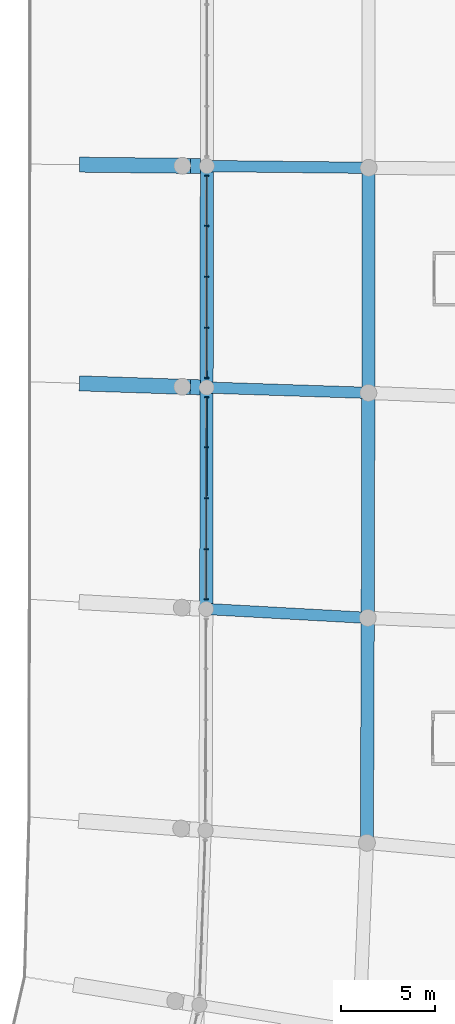
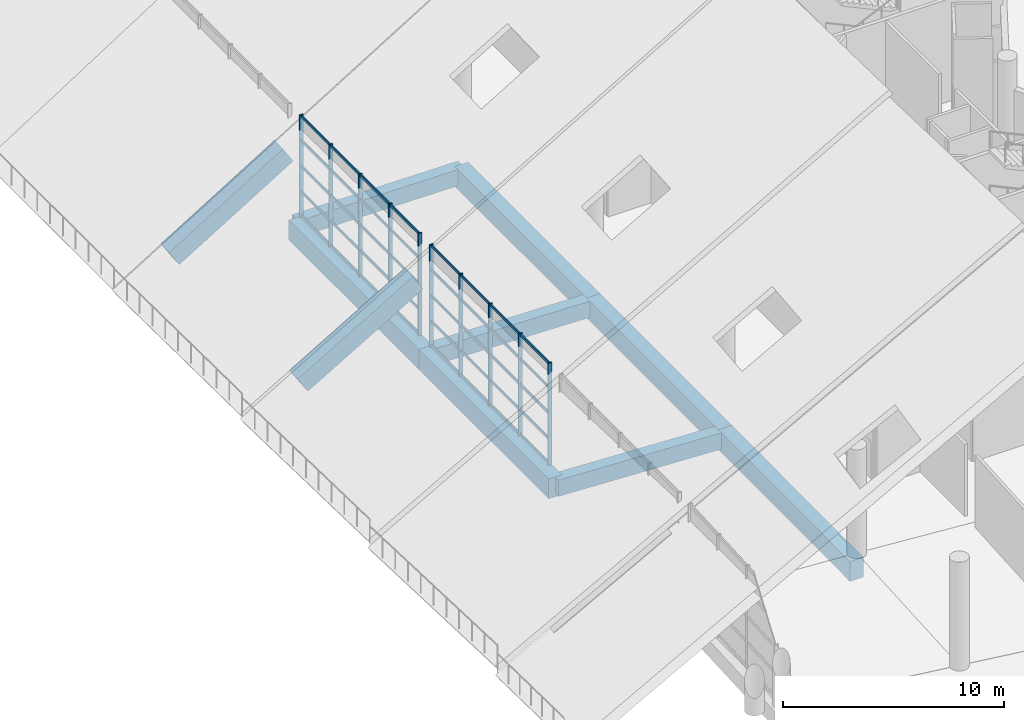
# One storey, part 42 of 249: 50 members, 10 beams, 2 elements without a shape of their own.
"""IFC4 building model written with IfcOpenShell, lengths in metres."""

from ifc_helpers import new_model, si_unit, direction, frame, origin, origin_2d, place, context, subcontext, project, spatial, rectangle, extrude, material, layer, layer_set, material_profile, profile_set, type_object, element, aggregate, save


model = new_model("IFC4")

# Units and contexts
model_context = context("Model", 3, precision=1e-05, world=origin(), true_north=direction((0.0, 1.0)))
body_context = subcontext(model_context, "Body", "Model", "MODEL_VIEW")
ifc_project = project(units=[si_unit("LENGTHUNIT", "METRE"), si_unit("AREAUNIT", "SQUARE_METRE"), si_unit("VOLUMEUNIT", "CUBIC_METRE"), si_unit("PLANEANGLEUNIT", "RADIAN"), si_unit("MASSUNIT", "GRAM", prefix="KILO")], contexts=[model_context])

# Site, building, storey
site_placement = place(None, origin())
site = spatial("IfcSite", under=ifc_project, at=site_placement, CompositionType="ELEMENT")
building_placement = place(site_placement, origin())
building = spatial("IfcBuilding", under=site, at=building_placement, Name="Meseta Stadium", CompositionType="ELEMENT")
storey_placement = place(building_placement, frame((0.0, 0.0, 12.0)))
storey = spatial("IfcBuildingStorey", under=building, at=storey_placement, Name="L02", CompositionType="ELEMENT", Elevation=12.0)

# Curtain wall, members
ifc_material_1 = material(Name="Aluminium", Category="aluminium")
ifc_layer = layer(ifc_material_1, 0.199951171875)
ifc_layer_set = layer_set([ifc_layer], Name="Suite glazing curtain wall")
curtain_wall_type = type_object("IfcCurtainWallType", Name="Suite glazing curtain wall", PredefinedType="NOTDEFINED", material=ifc_layer_set)
curtain_wall_1_placement = place(storey_placement, origin())
curtain_wall_1 = element("IfcCurtainWall", 1, at=curtain_wall_1_placement, inside=storey, type_object=curtain_wall_type, Name="Suite glazing bay 02", PredefinedType="NOTDEFINED")
ifc_material_2 = material(Name="Aluminium", Category="aluminium")
ifc_material_profile_1 = material_profile(ifc_material_2, rectangle(XDim=0.199951171875, YDim=0.06005859375, at=origin_2d()), Name="CW 200x60")
ifc_profile_set_1 = profile_set([ifc_material_profile_1], Name="Aluminium")
member_type_1 = type_object("IfcMemberType", Name="CW mullion 60x200", PredefinedType="MULLION", material=ifc_profile_set_1)
member_1_placement = place(storey_placement, frame((64.865234375, -28.923828125, 0.0), z_axis=(0.0, 0.0, 1.0), x_axis=(-0.999998105206, 0.001946685349, 0.0)))
member_1 = element("IfcMember", 2, at=member_1_placement, type_object=member_type_1, Name="CWS mullion 1", PredefinedType="MULLION", context=body_context, shape_type="SweptSolid", body=[
    extrude(rectangle(XDim=0.199951171875, YDim=0.06005859375, at=origin_2d()), origin(), (0.0, 0.0, 1.0), 5.64990234375),
])
member_2_placement = place(storey_placement, frame((64.870361328125, -26.250244140625, 0.0), z_axis=(0.0, 0.0, 1.0), x_axis=(-0.999998105206, 0.001946685349, 0.0)))
member_2 = element("IfcMember", 3, at=member_2_placement, type_object=member_type_1, Name="CWS mullion 2", PredefinedType="MULLION", context=body_context, shape_type="SweptSolid", body=[
    extrude(rectangle(XDim=0.199951171875, YDim=0.06005859375, at=origin_2d()), origin(), (0.0, 0.0, 1.0), 5.64990234375),
])
member_3_placement = place(storey_placement, frame((64.875732421875, -23.546875, 0.0), z_axis=(0.0, 0.0, 1.0), x_axis=(-0.999998105206, 0.001946685349, 0.0)))
member_3 = element("IfcMember", 4, at=member_3_placement, type_object=member_type_1, Name="CWS mullion 3", PredefinedType="MULLION", context=body_context, shape_type="SweptSolid", body=[
    extrude(rectangle(XDim=0.199951171875, YDim=0.06005859375, at=origin_2d()), origin(), (0.0, 0.0, 1.0), 5.64990234375),
])
member_4_placement = place(storey_placement, frame((64.880859375, -20.84326171875, 0.0), z_axis=(0.0, 0.0, 1.0), x_axis=(-0.999998105206, 0.001946685349, 0.0)))
member_4 = element("IfcMember", 5, at=member_4_placement, type_object=member_type_1, Name="CWS mullion 4", PredefinedType="MULLION", context=body_context, shape_type="SweptSolid", body=[
    extrude(rectangle(XDim=0.199951171875, YDim=0.06005859375, at=origin_2d()), origin(), (0.0, 0.0, 1.0), 5.64990234375),
])
member_5_placement = place(storey_placement, frame((64.885986328125, -18.169921875, 0.0), z_axis=(0.0, 0.0, 1.0), x_axis=(-0.999998105206, 0.001946685349, 0.0)))
member_5 = element("IfcMember", 6, at=member_5_placement, type_object=member_type_1, Name="CWS mullion 5", PredefinedType="MULLION", context=body_context, shape_type="SweptSolid", body=[
    extrude(rectangle(XDim=0.199951171875, YDim=0.06005859375, at=origin_2d()), origin(), (0.0, 0.0, 1.0), 5.64990234375),
])

curtain_wall_2_placement = place(storey_placement, origin())
curtain_wall_2 = element("IfcCurtainWall", 7, at=curtain_wall_2_placement, inside=storey, type_object=curtain_wall_type, Name="Suite glazing bay 03", PredefinedType="NOTDEFINED")
member_6_placement = place(storey_placement, frame((64.8876953125, -17.151611328125, 0.0), z_axis=(0.0, 0.0, 1.0), x_axis=(-0.99999952434, 0.000975355927, 0.0)))
member_6 = element("IfcMember", 8, at=member_6_placement, type_object=member_type_1, Name="CWS mullion 1", PredefinedType="MULLION", context=body_context, shape_type="SweptSolid", body=[
    extrude(rectangle(XDim=0.199951171875, YDim=0.06005859375, at=origin_2d()), origin(), (0.0, 0.0, 1.0), 5.64990234375),
])
member_7_placement = place(storey_placement, frame((64.89013671875, -14.477783203125, 0.0), z_axis=(0.0, 0.0, 1.0), x_axis=(-0.99999952434, 0.000975355927, 0.0)))
member_7 = element("IfcMember", 9, at=member_7_placement, type_object=member_type_1, Name="CWS mullion 2", PredefinedType="MULLION", context=body_context, shape_type="SweptSolid", body=[
    extrude(rectangle(XDim=0.199951171875, YDim=0.06005859375, at=origin_2d()), origin(), (0.0, 0.0, 1.0), 5.64990234375),
])
member_8_placement = place(storey_placement, frame((64.892822265625, -11.773681640625, 0.0), z_axis=(0.0, 0.0, 1.0), x_axis=(-0.99999952434, 0.000975355927, 0.0)))
member_8 = element("IfcMember", 10, at=member_8_placement, type_object=member_type_1, Name="CWS mullion 3", PredefinedType="MULLION", context=body_context, shape_type="SweptSolid", body=[
    extrude(rectangle(XDim=0.199951171875, YDim=0.06005859375, at=origin_2d()), origin(), (0.0, 0.0, 1.0), 5.64990234375),
])
member_9_placement = place(storey_placement, frame((64.8955078125, -9.06982421875, 0.0), z_axis=(0.0, 0.0, 1.0), x_axis=(-0.99999952434, 0.000975355927, 0.0)))
member_9 = element("IfcMember", 11, at=member_9_placement, type_object=member_type_1, Name="CWS mullion 4", PredefinedType="MULLION", context=body_context, shape_type="SweptSolid", body=[
    extrude(rectangle(XDim=0.199951171875, YDim=0.06005859375, at=origin_2d()), origin(), (0.0, 0.0, 1.0), 5.64990234375),
])
member_10_placement = place(storey_placement, frame((64.89794921875, -6.39599609375, 0.0), z_axis=(0.0, 0.0, 1.0), x_axis=(-0.99999952434, 0.000975355927, 0.0)))
member_10 = element("IfcMember", 12, at=member_10_placement, type_object=member_type_1, Name="CWS mullion 5", PredefinedType="MULLION", context=body_context, shape_type="SweptSolid", body=[
    extrude(rectangle(XDim=0.199951171875, YDim=0.06005859375, at=origin_2d()), origin(), (0.0, 0.0, 1.0), 5.64990234375),
])

# Member
ifc_material_3 = material(Name="Aluminium", Category="aluminium")
ifc_material_profile_2 = material_profile(ifc_material_3, rectangle(XDim=0.06005859375, YDim=0.14990234375, at=origin_2d()), Name="CW 60x150")
ifc_profile_set_2 = profile_set([ifc_material_profile_2], Name="Aluminium")
member_type_2 = type_object("IfcMemberType", Name="CW transom 60x150", PredefinedType="USERDEFINED", material=ifc_profile_set_2)
member_11_placement = place(storey_placement, frame((64.865234375, -28.893798828125, 0.074951171875), z_axis=(0.001961696366, 0.999998075872, 0.0), x_axis=(-0.999998075872, 0.001961696366, 0.0)))
member_11 = element("IfcMember", 13, at=member_11_placement, type_object=member_type_2, Name="CWS transom 1.1", ObjectType="TRANSOM", PredefinedType="USERDEFINED", context=body_context, shape_type="SweptSolid", body=[
    extrude(rectangle(XDim=0.06005859375, YDim=0.14990234375, at=origin_2d()), origin(), (0.0, 0.0, 1.0), 2.613525390625),
])

member_12_placement = place(storey_placement, frame((64.865234375, -28.893798828125, 1.41259765625), z_axis=(0.001961696366, 0.999998075872, 0.0), x_axis=(-0.999998075872, 0.001961696366, 0.0)))
member_12 = element("IfcMember", 14, at=member_12_placement, type_object=member_type_2, Name="CWS transom 1.2", ObjectType="TRANSOM", PredefinedType="USERDEFINED", context=body_context, shape_type="SweptSolid", body=[
    extrude(rectangle(XDim=0.06005859375, YDim=0.14990234375, at=origin_2d()), origin(), (0.0, 0.0, 1.0), 2.613525390625),
])

member_13_placement = place(storey_placement, frame((64.865234375, -28.893798828125, 2.824951171875), z_axis=(0.001961696366, 0.999998075872, 0.0), x_axis=(-0.999998075872, 0.001961696366, 0.0)))
member_13 = element("IfcMember", 15, at=member_13_placement, type_object=member_type_2, Name="CWS transom 1.3", ObjectType="TRANSOM", PredefinedType="USERDEFINED", context=body_context, shape_type="SweptSolid", body=[
    extrude(rectangle(XDim=0.06005859375, YDim=0.14990234375, at=origin_2d()), origin(), (0.0, 0.0, 1.0), 2.613525390625),
])

member_14_placement = place(storey_placement, frame((64.865234375, -28.893798828125, 4.237548828125), z_axis=(0.001961696366, 0.999998075872, 0.0), x_axis=(-0.999998075872, 0.001961696366, 0.0)))
member_14 = element("IfcMember", 16, at=member_14_placement, type_object=member_type_2, Name="CWS transom 1.4", ObjectType="TRANSOM", PredefinedType="USERDEFINED", context=body_context, shape_type="SweptSolid", body=[
    extrude(rectangle(XDim=0.06005859375, YDim=0.14990234375, at=origin_2d()), origin(), (0.0, 0.0, 1.0), 2.613525390625),
])

member_15_placement = place(storey_placement, frame((64.865234375, -28.893798828125, 5.574951171875), z_axis=(0.001961696366, 0.999998075872, 0.0), x_axis=(-0.999998075872, 0.001961696366, 0.0)))
member_15 = element("IfcMember", 17, at=member_15_placement, type_object=member_type_2, Name="CWS transom 1.5", ObjectType="TRANSOM", PredefinedType="USERDEFINED", context=body_context, shape_type="SweptSolid", body=[
    extrude(rectangle(XDim=0.06005859375, YDim=0.14990234375, at=origin_2d()), origin(), (0.0, 0.0, 1.0), 2.613525390625),
])

member_16_placement = place(storey_placement, frame((64.870361328125, -26.22021484375, 0.074951171875), z_axis=(0.001939591807, 0.99999811899, 0.0), x_axis=(-0.99999811899, 0.001939591807, 0.0)))
member_16 = element("IfcMember", 18, at=member_16_placement, type_object=member_type_2, Name="CWS transom 2.1", ObjectType="TRANSOM", PredefinedType="USERDEFINED", context=body_context, shape_type="SweptSolid", body=[
    extrude(rectangle(XDim=0.06005859375, YDim=0.14990234375, at=origin_2d()), origin(), (0.0, 0.0, 1.0), 2.643310546875),
])

member_17_placement = place(storey_placement, frame((64.870361328125, -26.22021484375, 1.41259765625), z_axis=(0.001939591807, 0.99999811899, 0.0), x_axis=(-0.99999811899, 0.001939591807, 0.0)))
member_17 = element("IfcMember", 19, at=member_17_placement, type_object=member_type_2, Name="CWS transom 2.2", ObjectType="TRANSOM", PredefinedType="USERDEFINED", context=body_context, shape_type="SweptSolid", body=[
    extrude(rectangle(XDim=0.06005859375, YDim=0.14990234375, at=origin_2d()), origin(), (0.0, 0.0, 1.0), 2.643310546875),
])

member_18_placement = place(storey_placement, frame((64.870361328125, -26.22021484375, 2.824951171875), z_axis=(0.001939591807, 0.99999811899, 0.0), x_axis=(-0.99999811899, 0.001939591807, 0.0)))
member_18 = element("IfcMember", 20, at=member_18_placement, type_object=member_type_2, Name="CWS transom 2.3", ObjectType="TRANSOM", PredefinedType="USERDEFINED", context=body_context, shape_type="SweptSolid", body=[
    extrude(rectangle(XDim=0.06005859375, YDim=0.14990234375, at=origin_2d()), origin(), (0.0, 0.0, 1.0), 2.643310546875),
])

member_19_placement = place(storey_placement, frame((64.870361328125, -26.22021484375, 4.237548828125), z_axis=(0.001939591807, 0.99999811899, 0.0), x_axis=(-0.99999811899, 0.001939591807, 0.0)))
member_19 = element("IfcMember", 21, at=member_19_placement, type_object=member_type_2, Name="CWS transom 2.4", ObjectType="TRANSOM", PredefinedType="USERDEFINED", context=body_context, shape_type="SweptSolid", body=[
    extrude(rectangle(XDim=0.06005859375, YDim=0.14990234375, at=origin_2d()), origin(), (0.0, 0.0, 1.0), 2.643310546875),
])

member_20_placement = place(storey_placement, frame((64.870361328125, -26.22021484375, 5.574951171875), z_axis=(0.001939591807, 0.99999811899, 0.0), x_axis=(-0.99999811899, 0.001939591807, 0.0)))
member_20 = element("IfcMember", 22, at=member_20_placement, type_object=member_type_2, Name="CWS transom 2.5", ObjectType="TRANSOM", PredefinedType="USERDEFINED", context=body_context, shape_type="SweptSolid", body=[
    extrude(rectangle(XDim=0.06005859375, YDim=0.14990234375, at=origin_2d()), origin(), (0.0, 0.0, 1.0), 2.643310546875),
])

member_21_placement = place(storey_placement, frame((64.875732421875, -23.516845703125, 0.074951171875), z_axis=(0.001939412681, 0.999998119337, 0.0), x_axis=(-0.999998119337, 0.001939412681, 0.0)))
member_21 = element("IfcMember", 23, at=member_21_placement, type_object=member_type_2, Name="CWS transom 3.1", ObjectType="TRANSOM", PredefinedType="USERDEFINED", context=body_context, shape_type="SweptSolid", body=[
    extrude(rectangle(XDim=0.06005859375, YDim=0.14990234375, at=origin_2d()), origin(), (0.0, 0.0, 1.0), 2.6435546875),
])

member_22_placement = place(storey_placement, frame((64.875732421875, -23.516845703125, 1.41259765625), z_axis=(0.001939412681, 0.999998119337, 0.0), x_axis=(-0.999998119337, 0.001939412681, 0.0)))
member_22 = element("IfcMember", 24, at=member_22_placement, type_object=member_type_2, Name="CWS transom 3.2", ObjectType="TRANSOM", PredefinedType="USERDEFINED", context=body_context, shape_type="SweptSolid", body=[
    extrude(rectangle(XDim=0.06005859375, YDim=0.14990234375, at=origin_2d()), origin(), (0.0, 0.0, 1.0), 2.6435546875),
])

member_23_placement = place(storey_placement, frame((64.875732421875, -23.516845703125, 2.824951171875), z_axis=(0.001939412681, 0.999998119337, 0.0), x_axis=(-0.999998119337, 0.001939412681, 0.0)))
member_23 = element("IfcMember", 25, at=member_23_placement, type_object=member_type_2, Name="CWS transom 3.3", ObjectType="TRANSOM", PredefinedType="USERDEFINED", context=body_context, shape_type="SweptSolid", body=[
    extrude(rectangle(XDim=0.06005859375, YDim=0.14990234375, at=origin_2d()), origin(), (0.0, 0.0, 1.0), 2.6435546875),
])

member_24_placement = place(storey_placement, frame((64.875732421875, -23.516845703125, 4.237548828125), z_axis=(0.001939412681, 0.999998119337, 0.0), x_axis=(-0.999998119337, 0.001939412681, 0.0)))
member_24 = element("IfcMember", 26, at=member_24_placement, type_object=member_type_2, Name="CWS transom 3.4", ObjectType="TRANSOM", PredefinedType="USERDEFINED", context=body_context, shape_type="SweptSolid", body=[
    extrude(rectangle(XDim=0.06005859375, YDim=0.14990234375, at=origin_2d()), origin(), (0.0, 0.0, 1.0), 2.6435546875),
])

member_25_placement = place(storey_placement, frame((64.875732421875, -23.516845703125, 5.574951171875), z_axis=(0.001939412681, 0.999998119337, 0.0), x_axis=(-0.999998119337, 0.001939412681, 0.0)))
member_25 = element("IfcMember", 27, at=member_25_placement, type_object=member_type_2, Name="CWS transom 3.5", ObjectType="TRANSOM", PredefinedType="USERDEFINED", context=body_context, shape_type="SweptSolid", body=[
    extrude(rectangle(XDim=0.06005859375, YDim=0.14990234375, at=origin_2d()), origin(), (0.0, 0.0, 1.0), 2.6435546875),
])

member_26_placement = place(storey_placement, frame((64.880859375, -20.8134765625, 0.074951171875), z_axis=(0.001961696366, 0.999998075872, 0.0), x_axis=(-0.999998075872, 0.001961696366, 0.0)))
member_26 = element("IfcMember", 28, at=member_26_placement, type_object=member_type_2, Name="CWS transom 4.1", ObjectType="TRANSOM", PredefinedType="USERDEFINED", context=body_context, shape_type="SweptSolid", body=[
    extrude(rectangle(XDim=0.06005859375, YDim=0.14990234375, at=origin_2d()), origin(), (0.0, 0.0, 1.0), 2.613525390625),
])

member_27_placement = place(storey_placement, frame((64.880859375, -20.8134765625, 1.41259765625), z_axis=(0.001961696366, 0.999998075872, 0.0), x_axis=(-0.999998075872, 0.001961696366, 0.0)))
member_27 = element("IfcMember", 29, at=member_27_placement, type_object=member_type_2, Name="CWS transom 4.2", ObjectType="TRANSOM", PredefinedType="USERDEFINED", context=body_context, shape_type="SweptSolid", body=[
    extrude(rectangle(XDim=0.06005859375, YDim=0.14990234375, at=origin_2d()), origin(), (0.0, 0.0, 1.0), 2.613525390625),
])

member_28_placement = place(storey_placement, frame((64.880859375, -20.8134765625, 2.824951171875), z_axis=(0.001961696366, 0.999998075872, 0.0), x_axis=(-0.999998075872, 0.001961696366, 0.0)))
member_28 = element("IfcMember", 30, at=member_28_placement, type_object=member_type_2, Name="CWS transom 4.3", ObjectType="TRANSOM", PredefinedType="USERDEFINED", context=body_context, shape_type="SweptSolid", body=[
    extrude(rectangle(XDim=0.06005859375, YDim=0.14990234375, at=origin_2d()), origin(), (0.0, 0.0, 1.0), 2.613525390625),
])

member_29_placement = place(storey_placement, frame((64.880859375, -20.8134765625, 4.237548828125), z_axis=(0.001961696366, 0.999998075872, 0.0), x_axis=(-0.999998075872, 0.001961696366, 0.0)))
member_29 = element("IfcMember", 31, at=member_29_placement, type_object=member_type_2, Name="CWS transom 4.4", ObjectType="TRANSOM", PredefinedType="USERDEFINED", context=body_context, shape_type="SweptSolid", body=[
    extrude(rectangle(XDim=0.06005859375, YDim=0.14990234375, at=origin_2d()), origin(), (0.0, 0.0, 1.0), 2.613525390625),
])

member_30_placement = place(storey_placement, frame((64.880859375, -20.8134765625, 5.574951171875), z_axis=(0.001961696366, 0.999998075872, 0.0), x_axis=(-0.999998075872, 0.001961696366, 0.0)))
member_30 = element("IfcMember", 32, at=member_30_placement, type_object=member_type_2, Name="CWS transom 4.5", ObjectType="TRANSOM", PredefinedType="USERDEFINED", context=body_context, shape_type="SweptSolid", body=[
    extrude(rectangle(XDim=0.06005859375, YDim=0.14990234375, at=origin_2d()), origin(), (0.0, 0.0, 1.0), 2.613525390625),
])

aggregate(curtain_wall_1, [member_1, member_2, member_3, member_4, member_5, member_11, member_12, member_13, member_14, member_15, member_16, member_17, member_18, member_19, member_20, member_21, member_22, member_23, member_24, member_25, member_26, member_27, member_28, member_29, member_30])

member_31_placement = place(storey_placement, frame((64.8876953125, -17.12158203125, 0.074951171875), z_axis=(0.000933968025, 0.999999563852, 0.0), x_axis=(-0.999999563852, 0.000933968025, 0.0)))
member_31 = element("IfcMember", 33, at=member_31_placement, type_object=member_type_2, Name="CWS transom 1.1", ObjectType="TRANSOM", PredefinedType="USERDEFINED", context=body_context, shape_type="SweptSolid", body=[
    extrude(rectangle(XDim=0.06005859375, YDim=0.14990234375, at=origin_2d()), origin(), (0.0, 0.0, 1.0), 2.614013671875),
])

member_32_placement = place(storey_placement, frame((64.8876953125, -17.12158203125, 1.41259765625), z_axis=(0.000933968025, 0.999999563852, 0.0), x_axis=(-0.999999563852, 0.000933968025, 0.0)))
member_32 = element("IfcMember", 34, at=member_32_placement, type_object=member_type_2, Name="CWS transom 1.2", ObjectType="TRANSOM", PredefinedType="USERDEFINED", context=body_context, shape_type="SweptSolid", body=[
    extrude(rectangle(XDim=0.06005859375, YDim=0.14990234375, at=origin_2d()), origin(), (0.0, 0.0, 1.0), 2.614013671875),
])

member_33_placement = place(storey_placement, frame((64.8876953125, -17.12158203125, 2.824951171875), z_axis=(0.000933968025, 0.999999563852, 0.0), x_axis=(-0.999999563852, 0.000933968025, 0.0)))
member_33 = element("IfcMember", 35, at=member_33_placement, type_object=member_type_2, Name="CWS transom 1.3", ObjectType="TRANSOM", PredefinedType="USERDEFINED", context=body_context, shape_type="SweptSolid", body=[
    extrude(rectangle(XDim=0.06005859375, YDim=0.14990234375, at=origin_2d()), origin(), (0.0, 0.0, 1.0), 2.614013671875),
])

member_34_placement = place(storey_placement, frame((64.8876953125, -17.12158203125, 4.237548828125), z_axis=(0.000933968025, 0.999999563852, 0.0), x_axis=(-0.999999563852, 0.000933968025, 0.0)))
member_34 = element("IfcMember", 36, at=member_34_placement, type_object=member_type_2, Name="CWS transom 1.4", ObjectType="TRANSOM", PredefinedType="USERDEFINED", context=body_context, shape_type="SweptSolid", body=[
    extrude(rectangle(XDim=0.06005859375, YDim=0.14990234375, at=origin_2d()), origin(), (0.0, 0.0, 1.0), 2.614013671875),
])

member_35_placement = place(storey_placement, frame((64.8876953125, -17.12158203125, 5.574951171875), z_axis=(0.000933968025, 0.999999563852, 0.0), x_axis=(-0.999999563852, 0.000933968025, 0.0)))
member_35 = element("IfcMember", 37, at=member_35_placement, type_object=member_type_2, Name="CWS transom 1.5", ObjectType="TRANSOM", PredefinedType="USERDEFINED", context=body_context, shape_type="SweptSolid", body=[
    extrude(rectangle(XDim=0.06005859375, YDim=0.14990234375, at=origin_2d()), origin(), (0.0, 0.0, 1.0), 2.614013671875),
])

member_36_placement = place(storey_placement, frame((64.89013671875, -14.44775390625, 0.074951171875), z_axis=(0.001015696614, 0.99999948418, 0.0), x_axis=(-0.99999948418, 0.001015696614, 0.0)))
member_36 = element("IfcMember", 38, at=member_36_placement, type_object=member_type_2, Name="CWS transom 2.1", ObjectType="TRANSOM", PredefinedType="USERDEFINED", context=body_context, shape_type="SweptSolid", body=[
    extrude(rectangle(XDim=0.06005859375, YDim=0.14990234375, at=origin_2d()), origin(), (0.0, 0.0, 1.0), 2.64404296875),
])

member_37_placement = place(storey_placement, frame((64.89013671875, -14.44775390625, 1.41259765625), z_axis=(0.001015696614, 0.99999948418, 0.0), x_axis=(-0.99999948418, 0.001015696614, 0.0)))
member_37 = element("IfcMember", 39, at=member_37_placement, type_object=member_type_2, Name="CWS transom 2.2", ObjectType="TRANSOM", PredefinedType="USERDEFINED", context=body_context, shape_type="SweptSolid", body=[
    extrude(rectangle(XDim=0.06005859375, YDim=0.14990234375, at=origin_2d()), origin(), (0.0, 0.0, 1.0), 2.64404296875),
])

member_38_placement = place(storey_placement, frame((64.89013671875, -14.44775390625, 2.824951171875), z_axis=(0.001015696614, 0.99999948418, 0.0), x_axis=(-0.99999948418, 0.001015696614, 0.0)))
member_38 = element("IfcMember", 40, at=member_38_placement, type_object=member_type_2, Name="CWS transom 2.3", ObjectType="TRANSOM", PredefinedType="USERDEFINED", context=body_context, shape_type="SweptSolid", body=[
    extrude(rectangle(XDim=0.06005859375, YDim=0.14990234375, at=origin_2d()), origin(), (0.0, 0.0, 1.0), 2.64404296875),
])

member_39_placement = place(storey_placement, frame((64.89013671875, -14.44775390625, 4.237548828125), z_axis=(0.001015696614, 0.99999948418, 0.0), x_axis=(-0.99999948418, 0.001015696614, 0.0)))
member_39 = element("IfcMember", 41, at=member_39_placement, type_object=member_type_2, Name="CWS transom 2.4", ObjectType="TRANSOM", PredefinedType="USERDEFINED", context=body_context, shape_type="SweptSolid", body=[
    extrude(rectangle(XDim=0.06005859375, YDim=0.14990234375, at=origin_2d()), origin(), (0.0, 0.0, 1.0), 2.64404296875),
])

member_40_placement = place(storey_placement, frame((64.89013671875, -14.44775390625, 5.574951171875), z_axis=(0.001015696614, 0.99999948418, 0.0), x_axis=(-0.99999948418, 0.001015696614, 0.0)))
member_40 = element("IfcMember", 42, at=member_40_placement, type_object=member_type_2, Name="CWS transom 2.5", ObjectType="TRANSOM", PredefinedType="USERDEFINED", context=body_context, shape_type="SweptSolid", body=[
    extrude(rectangle(XDim=0.06005859375, YDim=0.14990234375, at=origin_2d()), origin(), (0.0, 0.0, 1.0), 2.64404296875),
])

member_41_placement = place(storey_placement, frame((64.892822265625, -11.743896484375, 0.074951171875), z_axis=(0.001015696614, 0.99999948418, 0.0), x_axis=(-0.99999948418, 0.001015696614, 0.0)))
member_41 = element("IfcMember", 43, at=member_41_placement, type_object=member_type_2, Name="CWS transom 3.1", ObjectType="TRANSOM", PredefinedType="USERDEFINED", context=body_context, shape_type="SweptSolid", body=[
    extrude(rectangle(XDim=0.06005859375, YDim=0.14990234375, at=origin_2d()), origin(), (0.0, 0.0, 1.0), 2.64404296875),
])

member_42_placement = place(storey_placement, frame((64.892822265625, -11.743896484375, 1.41259765625), z_axis=(0.001015696614, 0.99999948418, 0.0), x_axis=(-0.99999948418, 0.001015696614, 0.0)))
member_42 = element("IfcMember", 44, at=member_42_placement, type_object=member_type_2, Name="CWS transom 3.2", ObjectType="TRANSOM", PredefinedType="USERDEFINED", context=body_context, shape_type="SweptSolid", body=[
    extrude(rectangle(XDim=0.06005859375, YDim=0.14990234375, at=origin_2d()), origin(), (0.0, 0.0, 1.0), 2.64404296875),
])

member_43_placement = place(storey_placement, frame((64.892822265625, -11.743896484375, 2.824951171875), z_axis=(0.001015696614, 0.99999948418, 0.0), x_axis=(-0.99999948418, 0.001015696614, 0.0)))
member_43 = element("IfcMember", 45, at=member_43_placement, type_object=member_type_2, Name="CWS transom 3.3", ObjectType="TRANSOM", PredefinedType="USERDEFINED", context=body_context, shape_type="SweptSolid", body=[
    extrude(rectangle(XDim=0.06005859375, YDim=0.14990234375, at=origin_2d()), origin(), (0.0, 0.0, 1.0), 2.64404296875),
])

member_44_placement = place(storey_placement, frame((64.892822265625, -11.743896484375, 4.237548828125), z_axis=(0.001015696614, 0.99999948418, 0.0), x_axis=(-0.99999948418, 0.001015696614, 0.0)))
member_44 = element("IfcMember", 46, at=member_44_placement, type_object=member_type_2, Name="CWS transom 3.4", ObjectType="TRANSOM", PredefinedType="USERDEFINED", context=body_context, shape_type="SweptSolid", body=[
    extrude(rectangle(XDim=0.06005859375, YDim=0.14990234375, at=origin_2d()), origin(), (0.0, 0.0, 1.0), 2.64404296875),
])

member_45_placement = place(storey_placement, frame((64.892822265625, -11.743896484375, 5.574951171875), z_axis=(0.001015696614, 0.99999948418, 0.0), x_axis=(-0.99999948418, 0.001015696614, 0.0)))
member_45 = element("IfcMember", 47, at=member_45_placement, type_object=member_type_2, Name="CWS transom 3.5", ObjectType="TRANSOM", PredefinedType="USERDEFINED", context=body_context, shape_type="SweptSolid", body=[
    extrude(rectangle(XDim=0.06005859375, YDim=0.14990234375, at=origin_2d()), origin(), (0.0, 0.0, 1.0), 2.64404296875),
])

member_46_placement = place(storey_placement, frame((64.8955078125, -9.039794921875, 0.074951171875), z_axis=(0.000934055262, 0.99999956377, 0.0), x_axis=(-0.99999956377, 0.000934055262, 0.0)))
member_46 = element("IfcMember", 48, at=member_46_placement, type_object=member_type_2, Name="CWS transom 4.1", ObjectType="TRANSOM", PredefinedType="USERDEFINED", context=body_context, shape_type="SweptSolid", body=[
    extrude(rectangle(XDim=0.06005859375, YDim=0.14990234375, at=origin_2d()), origin(), (0.0, 0.0, 1.0), 2.61376953125),
])

member_47_placement = place(storey_placement, frame((64.8955078125, -9.039794921875, 1.41259765625), z_axis=(0.000934055262, 0.99999956377, 0.0), x_axis=(-0.99999956377, 0.000934055262, 0.0)))
member_47 = element("IfcMember", 49, at=member_47_placement, type_object=member_type_2, Name="CWS transom 4.2", ObjectType="TRANSOM", PredefinedType="USERDEFINED", context=body_context, shape_type="SweptSolid", body=[
    extrude(rectangle(XDim=0.06005859375, YDim=0.14990234375, at=origin_2d()), origin(), (0.0, 0.0, 1.0), 2.61376953125),
])

member_48_placement = place(storey_placement, frame((64.8955078125, -9.039794921875, 2.824951171875), z_axis=(0.000934055262, 0.99999956377, 0.0), x_axis=(-0.99999956377, 0.000934055262, 0.0)))
member_48 = element("IfcMember", 50, at=member_48_placement, type_object=member_type_2, Name="CWS transom 4.3", ObjectType="TRANSOM", PredefinedType="USERDEFINED", context=body_context, shape_type="SweptSolid", body=[
    extrude(rectangle(XDim=0.06005859375, YDim=0.14990234375, at=origin_2d()), origin(), (0.0, 0.0, 1.0), 2.61376953125),
])

member_49_placement = place(storey_placement, frame((64.8955078125, -9.039794921875, 4.237548828125), z_axis=(0.000934055262, 0.99999956377, 0.0), x_axis=(-0.99999956377, 0.000934055262, 0.0)))
member_49 = element("IfcMember", 51, at=member_49_placement, type_object=member_type_2, Name="CWS transom 4.4", ObjectType="TRANSOM", PredefinedType="USERDEFINED", context=body_context, shape_type="SweptSolid", body=[
    extrude(rectangle(XDim=0.06005859375, YDim=0.14990234375, at=origin_2d()), origin(), (0.0, 0.0, 1.0), 2.61376953125),
])

member_50_placement = place(storey_placement, frame((64.8955078125, -9.039794921875, 5.574951171875), z_axis=(0.000934055262, 0.99999956377, 0.0), x_axis=(-0.99999956377, 0.000934055262, 0.0)))
member_50 = element("IfcMember", 52, at=member_50_placement, type_object=member_type_2, Name="CWS transom 4.5", ObjectType="TRANSOM", PredefinedType="USERDEFINED", context=body_context, shape_type="SweptSolid", body=[
    extrude(rectangle(XDim=0.06005859375, YDim=0.14990234375, at=origin_2d()), origin(), (0.0, 0.0, 1.0), 2.61376953125),
])

aggregate(curtain_wall_2, [member_6, member_7, member_8, member_9, member_10, member_31, member_32, member_33, member_34, member_35, member_36, member_37, member_38, member_39, member_40, member_41, member_42, member_43, member_44, member_45, member_46, member_47, member_48, member_49, member_50])

# Beams
ifc_material_4 = material(Name="Concrete C40/50", Category="concrete")
ifc_material_profile_3 = material_profile(ifc_material_4, rectangle(XDim=0.60009765625, YDim=0.89990234375, at=origin_2d()), Name="RC 600x900")
ifc_profile_set_3 = profile_set([ifc_material_profile_3], Name="Concrete C40/50")
beam_type_1 = type_object("IfcBeamType", Name="RC beam 600x900", PredefinedType="BEAM", material=ifc_profile_set_3)
beam_1_placement = place(storey_placement, frame((64.8642578125, -29.433349609375, -0.800048828125), z_axis=(0.998501047384, -0.054732607948, 0.0), x_axis=(0.054732607948, 0.998501047384, 0.0)))
element("IfcBeam", 53, at=beam_1_placement, inside=storey, type_object=beam_type_1, Name="L02 radial beam frame 2 line D to E", PredefinedType="BEAM", context=body_context, shape_type="SweptSolid", body=[
    extrude(rectangle(XDim=0.60009765625, YDim=0.89990234375, at=origin_2d()), origin(), (0.0, 0.0, 1.0), 8.60009765625),
])
for number, where, z_axis, x_axis, name in (
    (54, (64.88720703125, -17.660888671875, -0.800048828125), (0.999459492737, -0.032874342231, 0.0), (0.032874342231, 0.999459492737, 0.0), "L02 radial beam frame 3 line D to E"),
    (55, (64.898681640625, -5.886962890625, -0.800048828125), (0.999939958323, -0.010958090563, 0.0), (0.010958090563, 0.999939958323, 0.0), "L02 radial beam frame 4 line D to E"),
):
    element("IfcBeam", number, at=place(storey_placement, frame(where, z_axis=z_axis, x_axis=x_axis)), inside=storey, type_object=beam_type_1, Name=name, PredefinedType="BEAM", context=body_context, shape_type="SweptSolid", body=[
        extrude(rectangle(XDim=0.60009765625, YDim=0.89990234375, at=origin_2d()), origin(), (0.0, 0.0, 1.0), 8.599853515625),
    ])
ifc_material_5 = material(Name="Concrete C40/50", Category="concrete")
ifc_material_profile_4 = material_profile(ifc_material_5, rectangle(XDim=0.699951171875, YDim=1.10009765625, at=origin_2d()), Name="RC 700x1100")
ifc_profile_set_4 = profile_set([ifc_material_profile_4], Name="Concrete C40/50")
beam_type_2 = type_object("IfcBeamType", Name="RC beam 700x1100", PredefinedType="BEAM", material=ifc_profile_set_4)
beam_2_placement = place(storey_placement, frame((73.40478515625, -41.8623046875, -0.89990234375), z_axis=(0.003899441576, 0.999992397149, 0.0), x_axis=(-0.999992397149, 0.003899441576, 0.0)))
element("IfcBeam", 56, at=beam_2_placement, inside=storey, type_object=beam_type_2, Name="L02 ring beam frame 1 line E", PredefinedType="BEAM", context=body_context, shape_type="SweptSolid", body=[
    extrude(rectangle(XDim=0.699951171875, YDim=1.10009765625, at=origin_2d()), origin(), (0.0, 0.0, 1.0), 11.958251953125),
])
beam_3_placement = place(storey_placement, frame((64.8642578125, -29.433349609375, -0.89990234375), z_axis=(0.001949394886, 0.999998099928, 0.0), x_axis=(-0.999998099928, 0.001949394886, 0.0)))
element("IfcBeam", 57, at=beam_3_placement, inside=storey, type_object=beam_type_2, Name="L02 ring beam frame 2 line D", PredefinedType="BEAM", context=body_context, shape_type="SweptSolid", body=[
    extrude(rectangle(XDim=0.699951171875, YDim=1.10009765625, at=origin_2d()), origin(), (0.0, 0.0, 1.0), 11.7724609375),
])
beam_4_placement = place(storey_placement, frame((73.451416015625, -29.904052734375, -0.89990234375), z_axis=(0.002592357078, 0.999996639837, 0.0), x_axis=(-0.999996639837, 0.002592357078, 0.0)))
element("IfcBeam", 58, at=beam_4_placement, inside=storey, type_object=beam_type_2, Name="L02 ring beam frame 2 line E", PredefinedType="BEAM", context=body_context, shape_type="SweptSolid", body=[
    extrude(rectangle(XDim=0.699951171875, YDim=1.10009765625, at=origin_2d()), origin(), (0.0, 0.0, 1.0), 11.96044921875),
])
beam_5_placement = place(storey_placement, frame((64.88720703125, -17.660888671875, -0.89990234375), z_axis=(0.000974577566, 0.999999525099, 0.0), x_axis=(-0.999999525099, 0.000974577566, 0.0)))
element("IfcBeam", 59, at=beam_5_placement, inside=storey, type_object=beam_type_2, Name="L02 ring beam frame 3 line D", PredefinedType="BEAM", context=body_context, shape_type="SweptSolid", body=[
    extrude(rectangle(XDim=0.699951171875, YDim=1.10009765625, at=origin_2d()), origin(), (0.0, 0.0, 1.0), 11.77392578125),
])
beam_6_placement = place(storey_placement, frame((73.482421875, -17.943603515625, -0.89990234375), z_axis=(0.001306174648, 0.999999146954, 0.0), x_axis=(-0.999999146954, 0.001306174648, 0.0)))
element("IfcBeam", 60, at=beam_6_placement, inside=storey, type_object=beam_type_2, Name="L02 ring beam frame 3 line E", PredefinedType="BEAM", context=body_context, shape_type="SweptSolid", body=[
    extrude(rectangle(XDim=0.699951171875, YDim=1.10009765625, at=origin_2d()), origin(), (0.0, 0.0, 1.0), 11.96240234375),
])
ifc_material_6 = material(Name="Concrete C40/50", Category="concrete")
ifc_material_profile_5 = material_profile(ifc_material_6, rectangle(XDim=0.800048828125, YDim=1.0, at=origin_2d()), Name="RC 800x1000")
ifc_profile_set_5 = profile_set([ifc_material_profile_5], Name="Concrete C40/50")
beam_type_3 = type_object("IfcBeamType", Name="RC raker upper front 800x1000", PredefinedType="USERDEFINED", material=ifc_profile_set_5)
beam_7_placement = place(storey_placement, frame((58.390625, -17.447021484375, -0.05029296875), z_axis=(0.84755192503, -0.027897312152, 0.529978748964), x_axis=(0.032897350014, 0.999458735698, 0.0)))
element("IfcBeam", 61, at=beam_7_placement, inside=storey, type_object=beam_type_3, Name="Raker upper front frame 3 upper tier", ObjectType="RAKER", PredefinedType="USERDEFINED", context=body_context, shape_type="SweptSolid", body=[
    extrude(rectangle(XDim=0.800048828125, YDim=1.0, at=origin_2d()), origin(), (0.0, 0.0, 1.0), 6.957275390625),
])
beam_8_placement = place(storey_placement, frame((58.39892578125, -5.81591796875, -0.12744140625), z_axis=(0.847963610779, -0.009299000904, 0.529972870416), x_axis=(0.010965614198, 0.999939875845, 0.0)))
element("IfcBeam", 62, at=beam_8_placement, inside=storey, type_object=beam_type_3, Name="Raker upper front frame 4 upper tier", ObjectType="RAKER", PredefinedType="USERDEFINED", context=body_context, shape_type="SweptSolid", body=[
    extrude(rectangle(XDim=0.800048828125, YDim=1.0, at=origin_2d()), origin(), (0.0, 0.0, 1.0), 6.95751953125),
])

save(model, "model.ifc")
